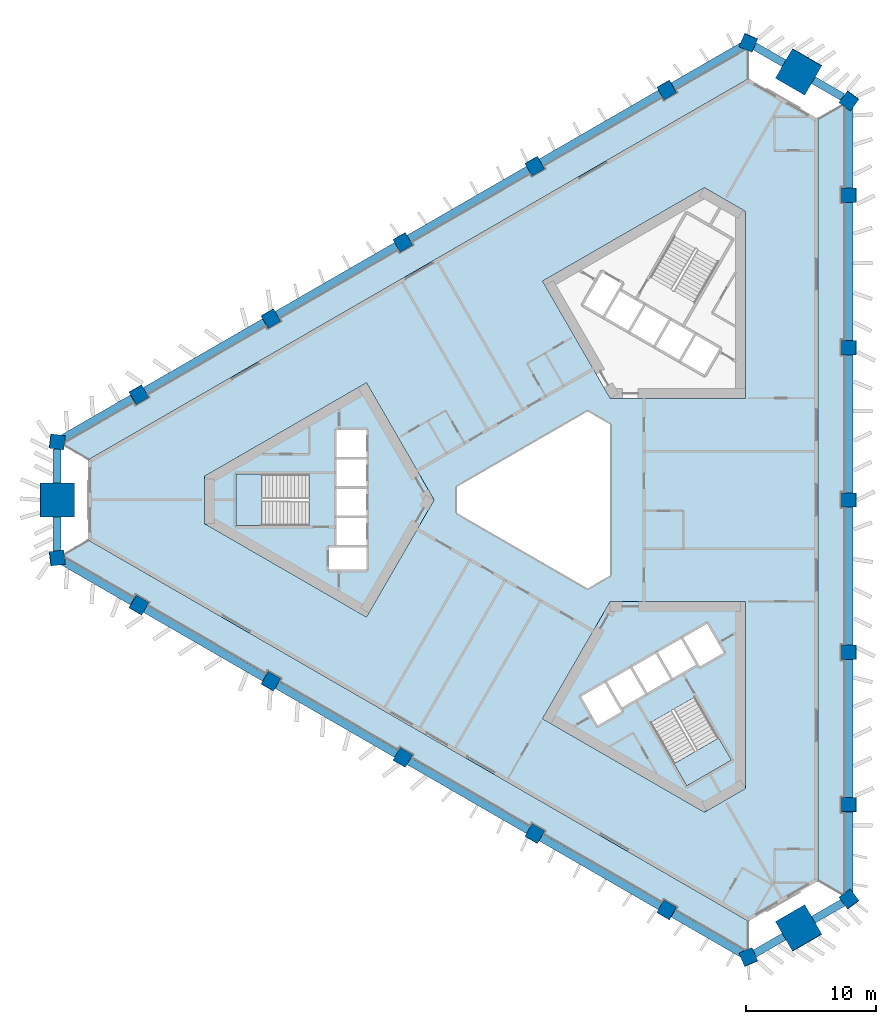
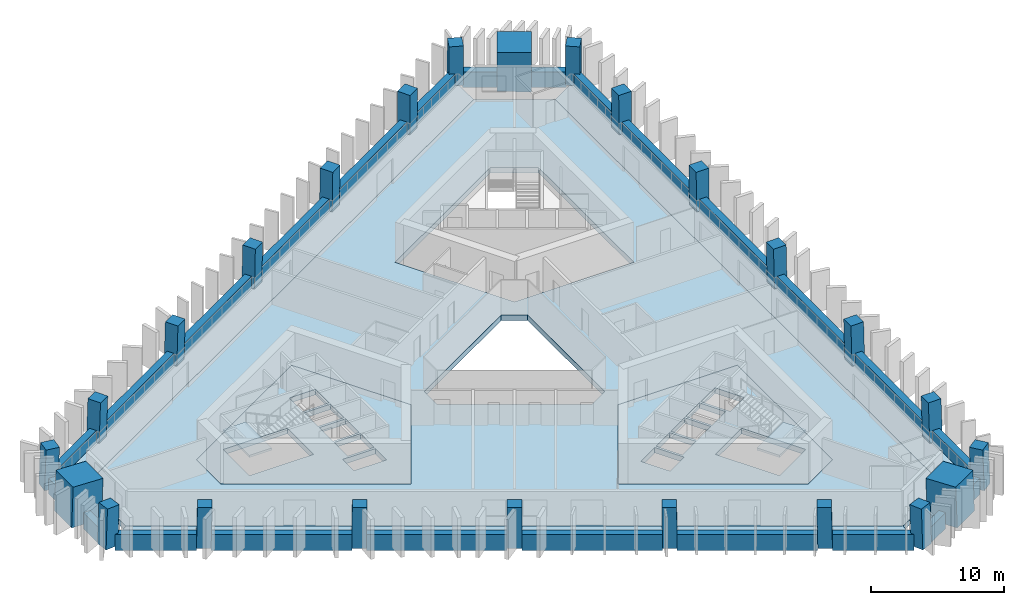
# One storey, part 1 of 11: 24 beams, 24 columns, 8 slabs, 2 elements without a shape of their own.
"""IFC4 building model written with IfcOpenShell, lengths in metres."""

from ifc_helpers import new_model, si_unit, direction, frame, origin, origin_2d, place, context, subcontext, project, spatial, polyline, rectangle, outline, extrude, material, layer, layer_set, material_profile, profile_set, type_object, element, aggregate, save


model = new_model("IFC4")

# Units and contexts
model_context = context("Model", 3, precision=1e-05, world=origin(), true_north=direction((0.0, 1.0)))
body_context = subcontext(model_context, "Body", "Model", "MODEL_VIEW")
ifc_project = project(units=[si_unit("LENGTHUNIT", "METRE"), si_unit("AREAUNIT", "SQUARE_METRE"), si_unit("VOLUMEUNIT", "CUBIC_METRE"), si_unit("PLANEANGLEUNIT", "RADIAN"), si_unit("MASSUNIT", "GRAM", prefix="KILO")], contexts=[model_context])

# Site, building, storey
site_placement = place(None, origin())
site = spatial("IfcSite", under=ifc_project, at=site_placement, CompositionType="ELEMENT")
building_placement = place(site_placement, origin())
building = spatial("IfcBuilding", under=site, at=building_placement, Name="Jabali Bay Hotel Tower and Convention Centre", CompositionType="ELEMENT")
storey_placement = place(building_placement, frame((0.0, 0.0, 90.60009765625)))
storey = spatial("IfcBuildingStorey", under=building, at=storey_placement, Name="L21", CompositionType="ELEMENT", Elevation=90.60009765625)

# Columns
ifc_material_1 = material(Name="Concrete C60", Category="concrete")
ifc_material_profile_1 = material_profile(ifc_material_1, rectangle(XDim=1.10009765625, YDim=1.10009765625, at=origin_2d()), Name="Frame column 1100")
ifc_profile_set_1 = profile_set([ifc_material_profile_1], Name="Concrete C60")
column_type_1 = type_object("IfcColumnType", Name="Frame column 1100", PredefinedType="COLUMN", material=ifc_profile_set_1)
column_1_placement = place(storey_placement, frame((83.841064453125, 111.462158203125, 0.0), z_axis=(-0.008376454378, -0.028163354484, 0.999568237028), x_axis=(0.865853490665, 0.499842344986, 0.021339232902)))
element("IfcColumn", 1, at=column_1_placement, inside=storey, type_object=column_type_1, Name="FC2 F1.1 L21", PredefinedType="COLUMN", context=body_context, shape_type="SweptSolid", body=[
    extrude(rectangle(XDim=1.10009765625, YDim=1.10009765625, at=origin_2d()), origin(), (0.0, 0.0, 1.0), 3.70166015625),
])
column_2_placement = place(storey_placement, frame((73.7138671875, 105.615234375, 0.0), z_axis=(0.000857578916, -0.022824792675, 0.999739112668), x_axis=(0.866054076895, 0.49983648719, 0.010668737814)))
element("IfcColumn", 2, at=column_2_placement, inside=storey, type_object=column_type_1, Name="FC2 F1.2 L21", PredefinedType="COLUMN", context=body_context, shape_type="SweptSolid", body=[
    extrude(rectangle(XDim=1.10009765625, YDim=1.10009765625, at=origin_2d()), origin(), (0.0, 0.0, 1.0), 3.700927734375),
])
column_3_placement = place(storey_placement, frame((63.586669921875, 99.768310546875, 0.0), z_axis=(0.010093620709, -0.017482414954, 0.999796221231), x_axis=(0.866020200589, 0.50000901209, 8.5616e-08)))
element("IfcColumn", 3, at=column_3_placement, inside=storey, type_object=column_type_1, Name="FC2 F1.3 L21", PredefinedType="COLUMN", context=body_context, shape_type="SweptSolid", body=[
    extrude(rectangle(XDim=1.10009765625, YDim=1.10009765625, at=origin_2d()), origin(), (0.0, 0.0, 1.0), 3.70068359375),
])
column_4_placement = place(storey_placement, frame((53.459716796875, 93.92138671875, 0.0), z_axis=(0.019328516974, -0.012138044789, 0.999739504221), x_axis=(-0.500205614953, 0.865671455024, 0.020181048691)))
element("IfcColumn", 4, at=column_4_placement, inside=storey, type_object=column_type_1, Name="FC2 F1.4 L21", PredefinedType="COLUMN", context=body_context, shape_type="SweptSolid", body=[
    extrude(rectangle(XDim=1.10009765625, YDim=1.10009765625, at=origin_2d()), origin(), (0.0, 0.0, 1.0), 3.700927734375),
])
for number, where, z_axis, x_axis, name in (
    (5, (43.33251953125, 88.07470703125, 0.0), (0.028559101991, -0.006859460986, 0.999568569678), (-0.498515218099, 0.866645785643, 0.020190580742), "FC2 F1.5 L21"),
    (6, (43.33251953125, 71.92529296875, 0.0), (0.028559101991, 0.006859460986, 0.999568569678), (-0.866410384874, 0.498876768373, 0.021331079692), "FC2 F2.1 L21"),
):
    element("IfcColumn", number, at=place(storey_placement, frame(where, z_axis=z_axis, x_axis=x_axis)), inside=storey, type_object=column_type_1, Name=name, PredefinedType="COLUMN", context=body_context, shape_type="SweptSolid", body=[
        extrude(rectangle(XDim=1.10009765625, YDim=1.10009765625, at=origin_2d()), origin(), (0.0, 0.0, 1.0), 3.70166015625),
    ])
column_5_placement = place(storey_placement, frame((53.459716796875, 66.07861328125, 0.0), z_axis=(0.019328516974, 0.012138044789, 0.999739504221), x_axis=(-0.865690909737, 0.500465383244, 0.010660627254)))
element("IfcColumn", 7, at=column_5_placement, inside=storey, type_object=column_type_1, Name="FC2 F2.2 L21", PredefinedType="COLUMN", context=body_context, shape_type="SweptSolid", body=[
    extrude(rectangle(XDim=1.10009765625, YDim=1.10009765625, at=origin_2d()), origin(), (0.0, 0.0, 1.0), 3.700927734375),
])
column_6_placement = place(storey_placement, frame((63.586669921875, 60.231689453125, 0.0), z_axis=(0.010093620709, 0.017482414954, 0.999796221231), x_axis=(-0.499907122366, -0.865843723195, 0.020187025824)))
element("IfcColumn", 8, at=column_6_placement, inside=storey, type_object=column_type_1, Name="FC2 F2.3 L21", PredefinedType="COLUMN", context=body_context, shape_type="SweptSolid", body=[
    extrude(rectangle(XDim=1.10009765625, YDim=1.10009765625, at=origin_2d()), origin(), (0.0, 0.0, 1.0), 3.70068359375),
])
column_7_placement = place(storey_placement, frame((73.7138671875, 54.384765625, 0.0), z_axis=(0.000857578916, 0.022824792675, 0.999739112668), x_axis=(-0.499949597911, -0.865818985073, 0.020196153983)))
element("IfcColumn", 9, at=column_7_placement, inside=storey, type_object=column_type_1, Name="FC2 F2.4 L21", PredefinedType="COLUMN", context=body_context, shape_type="SweptSolid", body=[
    extrude(rectangle(XDim=1.10009765625, YDim=1.10009765625, at=origin_2d()), origin(), (0.0, 0.0, 1.0), 3.700927734375),
])
for number, where, z_axis, x_axis, name in (
    (10, (83.841064453125, 48.537841796875, 0.0), (-0.008376454378, 0.028163354484, 0.999568237028), (-0.500227515951, -0.8656583943, 0.02019843219), "FC2 F2.5 L21"),
    (11, (97.82666015625, 56.612548828125, 0.0), (-0.020182659751, 0.021303918626, 0.999569308901), (0.000228267203, -0.99977282903, 0.021312865295), "FC2 F0.1 L21"),
):
    element("IfcColumn", number, at=place(storey_placement, frame(where, z_axis=z_axis, x_axis=x_axis)), inside=storey, type_object=column_type_1, Name=name, PredefinedType="COLUMN", context=body_context, shape_type="SweptSolid", body=[
        extrude(rectangle(XDim=1.10009765625, YDim=1.10009765625, at=origin_2d()), origin(), (0.0, 0.0, 1.0), 3.70166015625),
    ])
column_8_placement = place(storey_placement, frame((97.82666015625, 68.30615234375, 0.0), z_axis=(-0.020186088539, 0.010686752756, 0.999739123544), x_axis=(-0.001023376713, -0.999942568771, 0.010668264128)))
element("IfcColumn", 12, at=column_8_placement, inside=storey, type_object=column_type_1, Name="FC2 F0.2 L21", PredefinedType="COLUMN", context=body_context, shape_type="SweptSolid", body=[
    extrude(rectangle(XDim=1.10009765625, YDim=1.10009765625, at=origin_2d()), origin(), (0.0, 0.0, 1.0), 3.700927734375),
])
column_9_placement = place(storey_placement, frame((97.82666015625, 80.0, 0.0), z_axis=(-0.020187241331, 0.0, 0.99979621688), x_axis=(0.0, -1.0, 0.0)))
element("IfcColumn", 13, at=column_9_placement, inside=storey, type_object=column_type_1, Name="FC2 F0.3 L21", PredefinedType="COLUMN", context=body_context, shape_type="SweptSolid", body=[
    extrude(rectangle(XDim=1.10009765625, YDim=1.10009765625, at=origin_2d()), origin(), (0.0, 0.0, 1.0), 3.70068359375),
])
column_10_placement = place(storey_placement, frame((97.82666015625, 91.69384765625, 0.0), z_axis=(-0.020186088539, -0.010686752756, 0.999739123544), x_axis=(0.999795716399, 0.000807759214, 0.020195865801)))
element("IfcColumn", 14, at=column_10_placement, inside=storey, type_object=column_type_1, Name="FC2 F0.4 L21", PredefinedType="COLUMN", context=body_context, shape_type="SweptSolid", body=[
    extrude(rectangle(XDim=1.10009765625, YDim=1.10009765625, at=origin_2d()), origin(), (0.0, 0.0, 1.0), 3.700927734375),
])
column_11_placement = place(storey_placement, frame((97.82666015625, 103.387451171875, 0.0), z_axis=(-0.020182659751, -0.021303918626, 0.999569308901), x_axis=(0.999796283319, -0.000658319199, 0.020173211851)))
element("IfcColumn", 15, at=column_11_placement, inside=storey, type_object=column_type_1, Name="FC2 F0.5 L21", PredefinedType="COLUMN", context=body_context, shape_type="SweptSolid", body=[
    extrude(rectangle(XDim=1.10009765625, YDim=1.10009765625, at=origin_2d()), origin(), (0.0, 0.0, 1.0), 3.70166015625),
])
for number, where, z_axis, x_axis, name in (
    (16, (97.82666015625, 49.3740234375, 0.0), (-0.020178741915, 0.029015184452, 0.999375273581), (-0.801898497012, -0.597459175937, 0.001154806818), "FC2 V0 L21"),
    (17, (97.82666015625, 110.6259765625, 0.0), (-0.020178741915, -0.029015184452, 0.999375273581), (0.597119434339, 0.801374227287, 0.035323207319), "FC2 V1 L21"),
    (18, (90.109619140625, 115.081298828125, 0.0), (-0.015035141917, -0.031982648376, 0.99937533225), (0.91839579296, -0.395661262049, 0.001154637328), "FC2 V2 L21"),
    (19, (37.06396484375, 84.455322265625, 0.0), (0.03521388716, -0.002967462401, 0.999375393092), (-0.992569959034, 0.11643618941, 0.035319827558), "FC2 V3 L21"),
    (20, (37.06396484375, 75.544677734375, 0.0), (0.03521388716, 0.002967462401, 0.999375393092), (-0.116468272822, 0.993193741403, 0.001154756801), "FC2 V4 L21"),
    (21, (90.109619140625, 44.918701171875, 0.0), (-0.015035141917, 0.031982648376, 0.99937533225), (0.395377176859, -0.917839460863, 0.035321552942), "FC2 V5 L21"),
):
    element("IfcColumn", number, at=place(storey_placement, frame(where, z_axis=z_axis, x_axis=x_axis)), inside=storey, type_object=column_type_1, Name=name, PredefinedType="COLUMN", context=body_context, shape_type="SweptSolid", body=[
        extrude(rectangle(XDim=1.10009765625, YDim=1.10009765625, at=origin_2d()), origin(), (0.0, 0.0, 1.0), 3.7021484375),
    ])
ifc_material_2 = material(Name="Concrete C70", Category="concrete")
ifc_material_profile_2 = material_profile(ifc_material_2, rectangle(XDim=2.60009765625, YDim=2.60009765625, at=origin_2d()), Name="Mega column 2600")
ifc_profile_set_2 = profile_set([ifc_material_profile_2], Name="Concrete C70")
column_type_2 = type_object("IfcColumnType", Name="Mega column 2600", PredefinedType="COLUMN", material=ifc_profile_set_2)
for number, where, z_axis, x_axis, name in (
    (22, (93.968017578125, 112.853515625, 0.0), (-0.017607037296, -0.030466109479, 0.999380712447), (0.86581098392, -0.500371202332, 2.457e-09), "MC2 M1 L21"),
    (23, (37.06396484375, 80.0, 0.0), (0.035214042205, 0.0, 0.999379793288), (0.0, 1.0, 0.0), "MC2 M0 L21"),
    (24, (93.968017578125, 47.146484375, 0.0), (-0.017607037296, 0.030466109479, 0.999380712447), (-0.865809063816, -0.500374524745, 1.32655e-07), "MC2 M2 L21"),
):
    element("IfcColumn", number, at=place(storey_placement, frame(where, z_axis=z_axis, x_axis=x_axis)), inside=storey, type_object=column_type_2, Name=name, PredefinedType="COLUMN", context=body_context, shape_type="SweptSolid", body=[
        extrude(rectangle(XDim=2.60009765625, YDim=2.60009765625, at=origin_2d()), origin(), (0.0, 0.0, 1.0), 3.7021484375),
    ])

# Beams
ifc_material_profile_3 = material_profile(ifc_material_1, rectangle(XDim=0.60009765625, YDim=1.449951171875, at=origin_2d()), Name="Spandrel 600x1450")
ifc_profile_set_3 = profile_set([ifc_material_profile_3], Name="Concrete C60")
beam_type = type_object("IfcBeamType", Name="Spandrel 600x1450", PredefinedType="SPANDREL", material=ifc_profile_set_3)
beam_1_placement = place(storey_placement, frame((92.835693359375, 113.4921875, 0.375), z_axis=(-0.866007615124, 0.500030809598, 0.0), x_axis=(-0.500030809598, -0.866007615124, 0.0)))
element("IfcBeam", 25, at=beam_1_placement, inside=storey, type_object=beam_type, Name="Spandrel M1-V2 L21", PredefinedType="SPANDREL", context=body_context, shape_type="SweptSolid", body=[
    extrude(rectangle(XDim=0.60009765625, YDim=1.449951171875, at=origin_2d()), origin(), (0.0, 0.0, 1.0), 2.604248046875),
])
beam_2_placement = place(storey_placement, frame((89.627685546875, 114.79443359375, 0.375), z_axis=(-0.866015948761, -0.500016376224, 0.0), x_axis=(0.500016376224, -0.866015948761, 0.0)))
element("IfcBeam", 26, at=beam_2_placement, inside=storey, type_object=beam_type, Name="Spandrel V2-F1.1 L21", PredefinedType="SPANDREL", context=body_context, shape_type="SweptSolid", body=[
    extrude(rectangle(XDim=0.60009765625, YDim=1.449951171875, at=origin_2d()), origin(), (0.0, 0.0, 1.0), 6.135498046875),
])
beam_3_placement = place(storey_placement, frame((83.361572265625, 111.176513671875, 0.375), z_axis=(-0.866027029586, -0.499997184019, 0.0), x_axis=(0.499997184019, -0.866027029586, 0.0)))
element("IfcBeam", 27, at=beam_3_placement, inside=storey, type_object=beam_type, Name="Spandrel F1.1-F1.2 L21", PredefinedType="SPANDREL", context=body_context, shape_type="SweptSolid", body=[
    extrude(rectangle(XDim=0.60009765625, YDim=1.449951171875, at=origin_2d()), origin(), (0.0, 0.0, 1.0), 10.58984375),
])
beam_4_placement = place(storey_placement, frame((73.23779296875, 105.331787109375, 0.375), z_axis=(-0.866021265955, -0.500007166863, 0.0), x_axis=(0.500007166863, -0.866021265955, 0.0)))
element("IfcBeam", 28, at=beam_4_placement, inside=storey, type_object=beam_type, Name="Spandrel F1.2-F1.3 L21", PredefinedType="SPANDREL", context=body_context, shape_type="SweptSolid", body=[
    extrude(rectangle(XDim=0.60009765625, YDim=1.449951171875, at=origin_2d()), origin(), (0.0, 0.0, 1.0), 10.589599609375),
])
beam_5_placement = place(storey_placement, frame((63.1142578125, 99.48681640625, 0.375), z_axis=(-0.866027029586, -0.499997184019, 0.0), x_axis=(0.499997184019, -0.866027029586, 0.0)))
element("IfcBeam", 29, at=beam_5_placement, inside=storey, type_object=beam_type, Name="Spandrel F1.3-F1.4 L21", PredefinedType="SPANDREL", context=body_context, shape_type="SweptSolid", body=[
    extrude(rectangle(XDim=0.60009765625, YDim=1.449951171875, at=origin_2d()), origin(), (0.0, 0.0, 1.0), 10.58984375),
])
beam_6_placement = place(storey_placement, frame((52.990478515625, 93.641845703125, 0.375), z_axis=(-0.866021265955, -0.500007166863, 0.0), x_axis=(0.500007166863, -0.866021265955, 0.0)))
element("IfcBeam", 30, at=beam_6_placement, inside=storey, type_object=beam_type, Name="Spandrel F1.4-F1.5 L21", PredefinedType="SPANDREL", context=body_context, shape_type="SweptSolid", body=[
    extrude(rectangle(XDim=0.60009765625, YDim=1.449951171875, at=origin_2d()), origin(), (0.0, 0.0, 1.0), 10.589599609375),
])
beam_7_placement = place(storey_placement, frame((42.866943359375, 87.797119140625, 0.375), z_axis=(-0.866015948761, -0.500016376224, 0.0), x_axis=(0.500016376224, -0.866015948761, 0.0)))
element("IfcBeam", 31, at=beam_7_placement, inside=storey, type_object=beam_type, Name="Spandrel F1.5-V3 L21", PredefinedType="SPANDREL", context=body_context, shape_type="SweptSolid", body=[
    extrude(rectangle(XDim=0.60009765625, YDim=1.449951171875, at=origin_2d()), origin(), (0.0, 0.0, 1.0), 6.135498046875),
])
for number, where, z_axis, x_axis, name in (
    (32, (37.0771484375, 83.904296875, 0.375), (0.0, -1.0, 0.0), (1.0, 0.0, 0.0), "Spandrel V3-M0 L21"),
    (33, (37.0771484375, 78.699951171875, 0.375), (0.0, -1.0, 0.0), (1.0, 0.0, 0.0), "Spandrel M0-V4 L21"),
):
    element("IfcBeam", number, at=place(storey_placement, frame(where, z_axis=z_axis, x_axis=x_axis)), inside=storey, type_object=beam_type, Name=name, PredefinedType="SPANDREL", context=body_context, shape_type="SweptSolid", body=[
        extrude(rectangle(XDim=0.60009765625, YDim=1.449951171875, at=origin_2d()), origin(), (0.0, 0.0, 1.0), 2.604248046875),
    ])
beam_8_placement = place(storey_placement, frame((37.553466796875, 75.270751953125, 0.375), z_axis=(0.866015948761, -0.500016376224, 0.0), x_axis=(0.500016376224, 0.866015948761, 0.0)))
element("IfcBeam", 34, at=beam_8_placement, inside=storey, type_object=beam_type, Name="Spandrel V4-F2.1 L21", PredefinedType="SPANDREL", context=body_context, shape_type="SweptSolid", body=[
    extrude(rectangle(XDim=0.60009765625, YDim=1.449951171875, at=origin_2d()), origin(), (0.0, 0.0, 1.0), 6.135498046875),
])
beam_9_placement = place(storey_placement, frame((43.819580078125, 71.653076171875, 0.375), z_axis=(0.866021265955, -0.500007166863, 0.0), x_axis=(0.500007166863, 0.866021265955, 0.0)))
element("IfcBeam", 35, at=beam_9_placement, inside=storey, type_object=beam_type, Name="Spandrel F2.1-F2.2 L21", PredefinedType="SPANDREL", context=body_context, shape_type="SweptSolid", body=[
    extrude(rectangle(XDim=0.60009765625, YDim=1.449951171875, at=origin_2d()), origin(), (0.0, 0.0, 1.0), 10.589599609375),
])
beam_10_placement = place(storey_placement, frame((53.943115234375, 65.80810546875, 0.375), z_axis=(0.866027029586, -0.499997184019, 0.0), x_axis=(0.499997184019, 0.866027029586, 0.0)))
element("IfcBeam", 36, at=beam_10_placement, inside=storey, type_object=beam_type, Name="Spandrel F2.2-F2.3 L21", PredefinedType="SPANDREL", context=body_context, shape_type="SweptSolid", body=[
    extrude(rectangle(XDim=0.60009765625, YDim=1.449951171875, at=origin_2d()), origin(), (0.0, 0.0, 1.0), 10.58984375),
])
beam_11_placement = place(storey_placement, frame((64.06689453125, 59.963134765625, 0.375), z_axis=(0.866021265955, -0.500007166863, 0.0), x_axis=(0.500007166863, 0.866021265955, 0.0)))
element("IfcBeam", 37, at=beam_11_placement, inside=storey, type_object=beam_type, Name="Spandrel F2.3-F2.4 L21", PredefinedType="SPANDREL", context=body_context, shape_type="SweptSolid", body=[
    extrude(rectangle(XDim=0.60009765625, YDim=1.449951171875, at=origin_2d()), origin(), (0.0, 0.0, 1.0), 10.589599609375),
])
beam_12_placement = place(storey_placement, frame((74.1904296875, 54.118408203125, 0.375), z_axis=(0.866027029586, -0.499997184019, 0.0), x_axis=(0.499997184019, 0.866027029586, 0.0)))
element("IfcBeam", 38, at=beam_12_placement, inside=storey, type_object=beam_type, Name="Spandrel F2.4-F2.5 L21", PredefinedType="SPANDREL", context=body_context, shape_type="SweptSolid", body=[
    extrude(rectangle(XDim=0.60009765625, YDim=1.449951171875, at=origin_2d()), origin(), (0.0, 0.0, 1.0), 10.58984375),
])
beam_13_placement = place(storey_placement, frame((84.314208984375, 48.2734375, 0.375), z_axis=(0.866015948761, -0.500016376224, 0.0), x_axis=(0.500016376224, 0.866015948761, 0.0)))
element("IfcBeam", 39, at=beam_13_placement, inside=storey, type_object=beam_type, Name="Spandrel F2.5-V5 L21", PredefinedType="SPANDREL", context=body_context, shape_type="SweptSolid", body=[
    extrude(rectangle(XDim=0.60009765625, YDim=1.449951171875, at=origin_2d()), origin(), (0.0, 0.0, 1.0), 6.135498046875),
])
beam_14_placement = place(storey_placement, frame((90.580322265625, 45.20556640625, 0.375), z_axis=(0.866007615124, 0.500030809598, 0.0), x_axis=(-0.500030809598, 0.866007615124, 0.0)))
element("IfcBeam", 40, at=beam_14_placement, inside=storey, type_object=beam_type, Name="Spandrel V5-M2 L21", PredefinedType="SPANDREL", context=body_context, shape_type="SweptSolid", body=[
    extrude(rectangle(XDim=0.60009765625, YDim=1.449951171875, at=origin_2d()), origin(), (0.0, 0.0, 1.0), 2.604248046875),
])
beam_15_placement = place(storey_placement, frame((95.087158203125, 47.807861328125, 0.375), z_axis=(0.866071638765, 0.499919910113, 0.0), x_axis=(-0.499919910113, 0.866071638765, 0.0)))
element("IfcBeam", 41, at=beam_15_placement, inside=storey, type_object=beam_type, Name="Spandrel M2-V0 L21", PredefinedType="SPANDREL", context=body_context, shape_type="SweptSolid", body=[
    extrude(rectangle(XDim=0.60009765625, YDim=1.449951171875, at=origin_2d()), origin(), (0.0, 0.0, 1.0), 2.6044921875),
])
beam_16_placement = place(storey_placement, frame((97.819091796875, 49.93505859375, 0.375), z_axis=(0.0, 1.0, 0.0), x_axis=(-1.0, 0.0, 0.0)))
element("IfcBeam", 42, at=beam_16_placement, inside=storey, type_object=beam_type, Name="Spandrel V0-F0.1 L21", PredefinedType="SPANDREL", context=body_context, shape_type="SweptSolid", body=[
    extrude(rectangle(XDim=0.60009765625, YDim=1.449951171875, at=origin_2d()), origin(), (0.0, 0.0, 1.0), 6.135498046875),
])
for number, where, z_axis, x_axis, name in (
    (43, (97.819091796875, 57.17041015625, 0.375), (0.0, 1.0, 0.0), (-1.0, 0.0, 0.0), "Spandrel F0.1-F0.2 L21"),
    (44, (97.819091796875, 68.860107421875, 0.375), (0.0, 1.0, 0.0), (-1.0, 0.0, 0.0), "Spandrel F0.2-F0.3 L21"),
    (45, (97.819091796875, 80.550048828125, 0.375), (0.0, 1.0, 0.0), (-1.0, 0.0, 0.0), "Spandrel F0.3-F0.4 L21"),
    (46, (97.819091796875, 92.23974609375, 0.375), (0.0, 1.0, 0.0), (-1.0, 0.0, 0.0), "Spandrel F0.4-F0.5 L21"),
):
    element("IfcBeam", number, at=place(storey_placement, frame(where, z_axis=z_axis, x_axis=x_axis)), inside=storey, type_object=beam_type, Name=name, PredefinedType="SPANDREL", context=body_context, shape_type="SweptSolid", body=[
        extrude(rectangle(XDim=0.60009765625, YDim=1.449951171875, at=origin_2d()), origin(), (0.0, 0.0, 1.0), 10.58984375),
    ])
beam_17_placement = place(storey_placement, frame((97.819091796875, 103.929443359375, 0.375), z_axis=(0.0, 1.0, 0.0), x_axis=(-1.0, 0.0, 0.0)))
element("IfcBeam", 47, at=beam_17_placement, inside=storey, type_object=beam_type, Name="Spandrel F0.5-V1 L21", PredefinedType="SPANDREL", context=body_context, shape_type="SweptSolid", body=[
    extrude(rectangle(XDim=0.60009765625, YDim=1.449951171875, at=origin_2d()), origin(), (0.0, 0.0, 1.0), 6.135498046875),
])
beam_18_placement = place(storey_placement, frame((97.3427734375, 110.89013671875, 0.375), z_axis=(-0.866071638765, 0.499919910113, 0.0), x_axis=(-0.499919910113, -0.866071638765, 0.0)))
element("IfcBeam", 48, at=beam_18_placement, inside=storey, type_object=beam_type, Name="Spandrel V1-M1 L21", PredefinedType="SPANDREL", context=body_context, shape_type="SweptSolid", body=[
    extrude(rectangle(XDim=0.60009765625, YDim=1.449951171875, at=origin_2d()), origin(), (0.0, 0.0, 1.0), 2.6044921875),
])

# Slabs
ifc_material_3 = material(Name="Concrete C40", Category="concrete")
ifc_layer_1 = layer(ifc_material_3, 0.5)
ifc_layer_set_1 = layer_set([ifc_layer_1], Name="Concrete C40")
slab_type_1 = type_object("IfcSlabType", Name="Core floor slab 500", PredefinedType="FLOOR", material=ifc_layer_set_1)
slab_1_placement = place(storey_placement, frame((0.0, 0.0, -0.5)))
element("IfcSlab", 49, at=slab_1_placement, inside=storey, type_object=slab_type_1, Name="Core floor slab 1 L21", PredefinedType="FLOOR", context=body_context, shape_type="SweptSolid", body=[
    extrude(outline(polyline([(66.0, 80.0), (60.81005859375, 88.9892578125), (48.39697265625, 81.82275390625), (48.39697265625, 78.17724609375), (60.81005859375, 71.0107421875), (66.0, 80.0)]), holes=[polyline([(60.800048828125, 74.64990234375), (60.800048828125, 76.35009765625), (57.949951171875, 76.35009765625), (57.949951171875, 74.64990234375), (60.800048828125, 74.64990234375)]), polyline([(58.52001953125, 76.550048828125), (60.800048828125, 76.550048828125), (60.800048828125, 78.60009765625), (58.52001953125, 78.60009765625), (58.52001953125, 76.550048828125)]), polyline([(58.52001953125, 78.800048828125), (60.800048828125, 78.800048828125), (60.800048828125, 80.85009765625), (58.52001953125, 80.85009765625), (58.52001953125, 78.800048828125)]), polyline([(56.409912109375, 81.97509765625), (50.820068359375, 81.97509765625), (50.820068359375, 78.02490234375), (56.409912109375, 78.02490234375), (56.409912109375, 81.97509765625)]), polyline([(58.52001953125, 81.050048828125), (60.800048828125, 81.050048828125), (60.800048828125, 83.10009765625), (58.52001953125, 83.10009765625), (58.52001953125, 81.050048828125)]), polyline([(58.52001953125, 83.300048828125), (60.800048828125, 83.300048828125), (60.800048828125, 85.35009765625), (58.52001953125, 85.35009765625), (58.52001953125, 83.300048828125)])]), origin(), (0.0, 0.0, 1.0), 0.5),
])
slab_2_placement = place(storey_placement, frame((0.0, 0.0, -0.5)))
element("IfcSlab", 50, at=slab_2_placement, inside=storey, type_object=slab_type_1, Name="Core floor slab 3 L21", PredefinedType="FLOOR", context=body_context, shape_type="SweptSolid", body=[
    extrude(outline(polyline([(79.5, 72.205810546875), (74.31005859375, 63.21630859375), (86.72314453125, 56.0498046875), (89.8798828125, 57.872314453125), (89.8798828125, 72.205810546875), (79.5, 72.205810546875)]), holes=[polyline([(82.584716796875, 62.9130859375), (85.379638671875, 58.072021484375), (88.80029296875, 60.047119140625), (86.00537109375, 64.88818359375), (82.584716796875, 62.9130859375)]), polyline([(80.365478515625, 63.756591796875), (79.090576171875, 65.96484375), (77.27197265625, 64.9150390625), (78.546875, 62.70654296875), (80.365478515625, 63.756591796875)]), polyline([(82.17919921875, 65.115478515625), (81.0390625, 67.08984375), (79.263671875, 66.06494140625), (80.40380859375, 64.09033203125), (82.17919921875, 65.115478515625)]), polyline([(82.98779296875, 68.21484375), (81.21240234375, 67.18994140625), (82.352294921875, 65.21533203125), (84.127685546875, 66.240478515625), (82.98779296875, 68.21484375)]), polyline([(86.076171875, 67.365478515625), (84.936279296875, 69.33984375), (83.160888671875, 68.31494140625), (84.30078125, 66.34033203125), (86.076171875, 67.365478515625)]), polyline([(88.203125, 68.281494140625), (86.927978515625, 70.489990234375), (85.109375, 69.43994140625), (86.384521484375, 67.231689453125), (88.203125, 68.281494140625)])]), origin(), (0.0, 0.0, 1.0), 0.5),
])
ifc_layer_2 = layer(ifc_material_3, 0.199951171875)
ifc_layer_set_2 = layer_set([ifc_layer_2], Name="Concrete C40")
slab_type_2 = type_object("IfcSlabType", Name="Loggia slab 200", PredefinedType="FLOOR", material=ifc_layer_set_2)
slab_3_placement = place(storey_placement, frame((0.0, 0.0, -0.2001953125)))
element("IfcSlab", 51, at=slab_3_placement, inside=storey, type_object=slab_type_2, Name="Loggia slab east face L21", PredefinedType="FLOOR", context=body_context, shape_type="SweptSolid", body=[
    extrude(outline(polyline([(95.426513671875, 109.240234375), (97.307861328125, 110.326416015625), (97.526611328125, 110.16357421875), (97.526611328125, 103.9375), (97.276611328125, 103.9375), (97.276611328125, 102.837646484375), (97.526611328125, 102.837646484375), (97.526611328125, 92.243896484375), (97.276611328125, 92.243896484375), (97.276611328125, 91.143798828125), (97.526611328125, 91.143798828125), (97.526611328125, 80.550048828125), (97.276611328125, 80.550048828125), (97.276611328125, 79.449951171875), (97.526611328125, 79.449951171875), (97.526611328125, 68.856201171875), (97.276611328125, 68.856201171875), (97.276611328125, 67.756103515625), (97.526611328125, 67.756103515625), (97.526611328125, 57.162353515625), (97.276611328125, 57.162353515625), (97.276611328125, 56.0625), (97.526611328125, 56.0625), (97.526611328125, 49.83642578125), (97.307861328125, 49.673583984375), (95.426513671875, 50.759765625), (95.426513671875, 109.240234375)])), origin(), (0.0, 0.0, 1.0), 0.2001953125),
])
slab_4_placement = place(storey_placement, frame((0.0, 0.0, -0.2001953125)))
element("IfcSlab", 52, at=slab_4_placement, inside=storey, type_object=slab_type_2, Name="Loggia slab north-west face L21", PredefinedType="FLOOR", context=body_context, shape_type="SweptSolid", body=[
    extrude(outline(polyline([(39.4638671875, 83.06982421875), (37.58251953125, 84.156005859375), (37.6142578125, 84.4267578125), (43.006103515625, 87.539794921875), (43.131103515625, 87.3232421875), (44.083740234375, 87.873291015625), (43.958740234375, 88.08984375), (53.13330078125, 93.38671875), (53.25830078125, 93.170166015625), (54.2109375, 93.72021484375), (54.0859375, 93.936767578125), (63.260498046875, 99.233642578125), (63.385498046875, 99.01708984375), (64.338134765625, 99.567138671875), (64.213134765625, 99.783447265625), (73.387451171875, 105.08056640625), (73.512451171875, 104.864013671875), (74.465087890625, 105.4140625), (74.340087890625, 105.63037109375), (83.5146484375, 110.92724609375), (83.6396484375, 110.7109375), (84.59228515625, 111.2607421875), (84.46728515625, 111.477294921875), (89.859130859375, 114.59033203125), (90.109619140625, 114.482421875), (90.109619140625, 112.31005859375), (39.4638671875, 83.06982421875)])), origin(), (0.0, 0.0, 1.0), 0.2001953125),
])
slab_5_placement = place(storey_placement, frame((0.0, 0.0, -0.2001953125)))
element("IfcSlab", 53, at=slab_5_placement, inside=storey, type_object=slab_type_2, Name="Loggia slab south-west face L21", PredefinedType="FLOOR", context=body_context, shape_type="SweptSolid", body=[
    extrude(outline(polyline([(90.109619140625, 47.68994140625), (90.109619140625, 45.517578125), (89.859130859375, 45.40966796875), (84.46728515625, 48.522705078125), (84.59228515625, 48.7392578125), (83.6396484375, 49.2890625), (83.5146484375, 49.07275390625), (74.340087890625, 54.36962890625), (74.465087890625, 54.5859375), (73.512451171875, 55.135986328125), (73.387451171875, 54.91943359375), (64.213134765625, 60.216552734375), (64.338134765625, 60.432861328125), (63.385498046875, 60.98291015625), (63.260498046875, 60.766357421875), (54.0859375, 66.063232421875), (54.2109375, 66.27978515625), (53.25830078125, 66.829833984375), (53.13330078125, 66.61328125), (43.958740234375, 71.91015625), (44.083740234375, 72.126708984375), (43.131103515625, 72.6767578125), (43.006103515625, 72.460205078125), (37.6142578125, 75.5732421875), (37.58251953125, 75.843994140625), (39.4638671875, 76.93017578125), (90.109619140625, 47.68994140625)])), origin(), (0.0, 0.0, 1.0), 0.2001953125),
])
ifc_layer_3 = layer(ifc_material_3, 0.5)
ifc_layer_set_3 = layer_set([ifc_layer_3], Name="Concrete C40")
slab_type_3 = type_object("IfcSlabType", Name="Post-tensioned flat slab 500", PredefinedType="FLOOR", material=ifc_layer_set_3)
slab_6_placement = place(storey_placement, frame((0.0, 0.0, -0.5)))
element("IfcSlab", 54, at=slab_6_placement, inside=storey, type_object=slab_type_3, Name="Floor slab L21", PredefinedType="FLOOR", context=body_context, shape_type="SweptSolid", body=[
    extrude(outline(polyline([(90.109619140625, 112.31005859375), (95.426513671875, 109.240234375), (95.426513671875, 50.759765625), (90.109619140625, 47.68994140625), (39.4638671875, 76.93017578125), (39.4638671875, 83.06982421875), (90.109619140625, 112.31005859375)]), holes=[polyline([(67.73193359375, 79.0), (77.76806640625, 73.205810546875), (79.5, 74.205810546875), (79.5, 85.794189453125), (77.76806640625, 86.794189453125), (67.73193359375, 81.0), (67.73193359375, 79.0)]), polyline([(48.39697265625, 78.17724609375), (60.81005859375, 71.0107421875), (66.0, 80.0), (60.81005859375, 88.9892578125), (48.39697265625, 81.82275390625), (48.39697265625, 78.17724609375)]), polyline([(89.8798828125, 102.127685546875), (86.72314453125, 103.9501953125), (74.31005859375, 96.78369140625), (79.5, 87.794189453125), (89.8798828125, 87.794189453125), (89.8798828125, 102.127685546875)]), polyline([(74.31005859375, 63.21630859375), (86.72314453125, 56.0498046875), (89.8798828125, 57.872314453125), (89.8798828125, 72.205810546875), (79.5, 72.205810546875), (74.31005859375, 63.21630859375)])]), origin(), (0.0, 0.0, 1.0), 0.5),
])

# Stair, slab
stair_type = type_object("IfcStairType", Name="Exit stair 1900", PredefinedType="HALF_TURN_STAIR", material=ifc_material_3)
stair_1_placement = place(storey_placement, origin())
stair_1 = element("IfcStair", 55, at=stair_1_placement, inside=storey, type_object=stair_type, Name="L21 Exit Stair 1", PredefinedType="HALF_TURN_STAIR")
ifc_layer_4 = layer(ifc_material_3, 0.199951171875)
ifc_layer_set_4 = layer_set([ifc_layer_4], Name="Concrete C40")
slab_type_4 = type_object("IfcSlabType", Name="Stair landing 200", PredefinedType="LANDING", material=ifc_layer_set_4)
slab_7_placement = place(storey_placement, frame((0.0, 0.0, 1.64990234375)))
slab_7 = element("IfcSlab", 56, at=slab_7_placement, type_object=slab_type_4, Name="ST1 landing 1", PredefinedType="LANDING", context=body_context, shape_type="SweptSolid", body=[
    extrude(outline(polyline([(52.782958984375, 81.97509765625), (50.820068359375, 81.97509765625), (50.820068359375, 78.02490234375), (52.782958984375, 78.02490234375), (52.782958984375, 81.97509765625)])), origin(), (0.0, 0.0, 1.0), 0.199951171875),
])
aggregate(stair_1, [slab_7])

stair_2_placement = place(storey_placement, origin())
stair_2 = element("IfcStair", 57, at=stair_2_placement, inside=storey, type_object=stair_type, Name="L21 Exit Stair 3", PredefinedType="HALF_TURN_STAIR")
slab_8_placement = place(storey_placement, frame((0.0, 0.0, 1.64990234375)))
slab_8 = element("IfcSlab", 58, at=slab_8_placement, type_object=slab_type_4, Name="ST3 landing 1", PredefinedType="LANDING", context=body_context, shape_type="SweptSolid", body=[
    extrude(outline(polyline([(84.398193359375, 59.77197265625), (85.379638671875, 58.072021484375), (88.80029296875, 60.047119140625), (87.81884765625, 61.7470703125), (84.398193359375, 59.77197265625)])), origin(), (0.0, 0.0, 1.0), 0.199951171875),
])
aggregate(stair_2, [slab_8])

save(model, "model.ifc")
